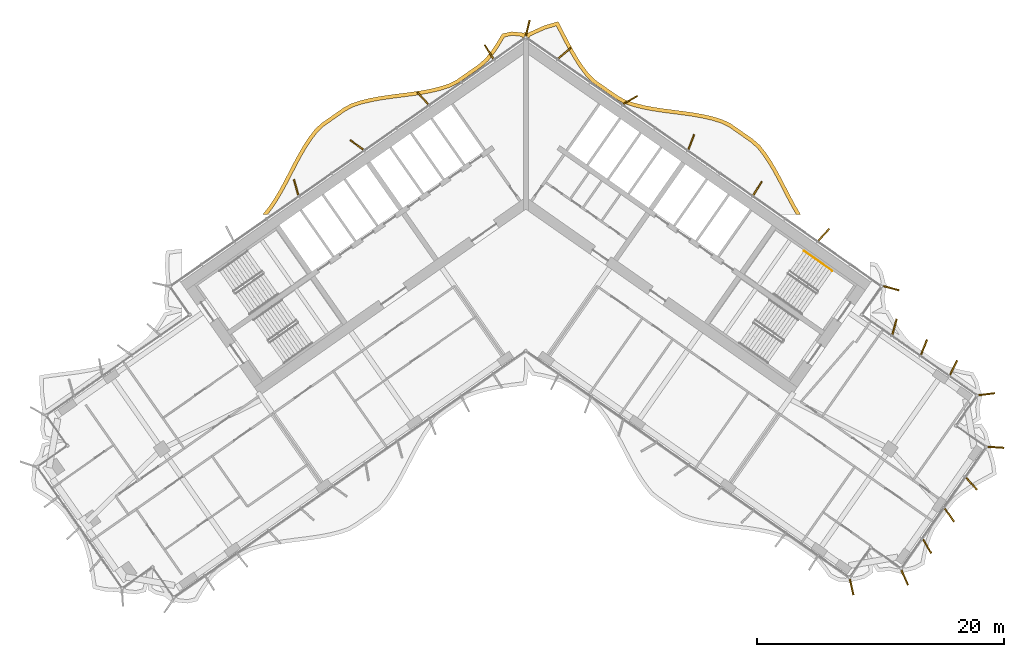
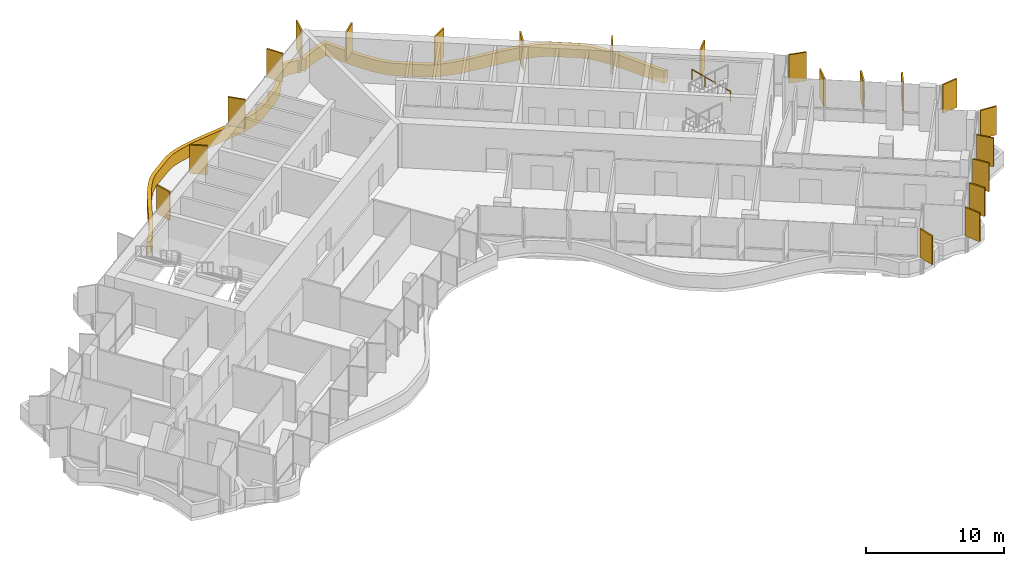
# One storey, part 21 of 21: 22 shading devices, 1 railing.
"""IFC4 building model written with IfcOpenShell, lengths in metres."""

import ifcopenshell
import ifcopenshell.guid

model = None  # the IFC model being written
_history = None  # IfcOwnerHistory: only IFC2X3 demands one
_inside = {}  # id of a spatial element -> (the spatial element, [elements in it])
_under = {}  # id of a project, library or spatial element -> (it, [spatial elements below it])
_declared = {}  # id of a project -> (the project, [libraries it declares])
_typed = {}  # id of a type object -> (the type object, [elements of that type])
_made_of = {}  # id of a material, layer set ... -> (it, [elements and type objects made of it])


def new_model(schema):
    """Start an empty IFC model of exactly this schema.

    Asked for "IFC4X3", IfcOpenShell would pick the latest addendum, in which some entities
    have other attributes; the version numbers below select the first issue.
    IFC2X3 requires an IfcOwnerHistory on every rooted entity: one is made here for all.
    """
    global model, _history
    if schema == "IFC4X3":
        model = ifcopenshell.file(schema_version=(4, 3, 0, 0))
    else:
        model = ifcopenshell.file(schema=schema)
    _inside.clear()
    _under.clear()
    _declared.clear()
    _typed.clear()
    _made_of.clear()
    _history = None
    if model.schema == "IFC2X3":
        org = make("IfcOrganization", Name="unknown")
        user = make(
            "IfcPersonAndOrganization",
            ThePerson=make("IfcPerson", FamilyName="unknown"),
            TheOrganization=org,
        )
        app = make(
            "IfcApplication",
            ApplicationDeveloper=org,
            Version="unknown",
            ApplicationFullName="unknown",
            ApplicationIdentifier="unknown",
        )
        _history = make(
            "IfcOwnerHistory",
            OwningUser=user,
            OwningApplication=app,
            ChangeAction="ADDED",
            CreationDate=0,
        )
    return model


def make(cls, **values):
    """One entity of the class cls with the attributes given. An attribute that is None is left unset."""
    return model.create_entity(
        cls, **{name: value for name, value in values.items() if value is not None}
    )


def rooted(cls, **values):
    """An entity with a GlobalId (a new one), such as an element, a storey or a relation."""
    return make(cls, GlobalId=ifcopenshell.guid.new(), OwnerHistory=_history, **values)


def si_unit(unit_type, name, prefix=None):
    """IfcSIUnit, for example si_unit("LENGTHUNIT", "METRE", prefix="MILLI")."""
    return make("IfcSIUnit", UnitType=unit_type, Prefix=prefix, Name=name)


def assignment(units):
    """IfcUnitAssignment: the units of a project."""
    return None if units is None else make("IfcUnitAssignment", Units=units)


def point(xyz):
    """IfcCartesianPoint."""
    return None if xyz is None else make("IfcCartesianPoint", Coordinates=xyz)


def direction(xyz):
    """IfcDirection."""
    return None if xyz is None else make("IfcDirection", DirectionRatios=xyz)


def frame(location, z_axis=None, x_axis=None):
    """IfcAxis2Placement3D, a coordinate frame: its origin and axes. An axis left out is left unset."""
    return make(
        "IfcAxis2Placement3D",
        Location=point(location),
        Axis=direction(z_axis),
        RefDirection=direction(x_axis),
    )


def frame_2d(location, x_axis=None):
    """IfcAxis2Placement2D, a coordinate frame in the plane: its origin and x axis."""
    return make(
        "IfcAxis2Placement2D", Location=point(location), RefDirection=direction(x_axis)
    )


def origin():
    """The frame at (0, 0, 0) with its axes left unset."""
    return frame((0.0, 0.0, 0.0))


def origin_2d():
    """The frame at (0, 0) in the plane with its x axis left unset."""
    return frame_2d((0.0, 0.0))


def place(relative_to, where):
    """IfcLocalPlacement: puts the frame where relative to a parent placement (None: the world)."""
    return make(
        "IfcLocalPlacement", PlacementRelTo=relative_to, RelativePlacement=where
    )


def context(
    kind, dimensions, precision=None, world=None, true_north=None, identifier=None
):
    """IfcGeometricRepresentationContext, for example the 3D "Model" context."""
    return make(
        "IfcGeometricRepresentationContext",
        ContextIdentifier=identifier,
        ContextType=kind,
        CoordinateSpaceDimension=dimensions,
        Precision=precision,
        WorldCoordinateSystem=world,
        TrueNorth=true_north,
    )


def subcontext(parent, identifier, kind, view, scale=None):
    """IfcGeometricRepresentationSubContext, for example "Body" below "Model"."""
    return make(
        "IfcGeometricRepresentationSubContext",
        ContextIdentifier=identifier,
        ContextType=kind,
        ParentContext=parent,
        TargetScale=scale,
        TargetView=view,
    )


def project(units=None, contexts=None):
    """IfcProject with its units and contexts."""
    return rooted(
        "IfcProject",
        Name="project",
        RepresentationContexts=contexts,
        UnitsInContext=assignment(units),
    )


def spatial(cls, under=None, at=None, **own):
    """A site, building, storey or space (cls), placed at a placement, below another one or the project."""
    s = rooted(cls, ObjectPlacement=at, **own)
    if under is not None:
        _under.setdefault(under.id(), (under, []))[1].append(s)
    return s


def polyline(points):
    """IfcPolyline through the points."""
    return make("IfcPolyline", Points=[point(p) for p in points])


def profile(cls, at=None, kind="AREA", **sizes):
    """A parametric profile (cls). Its sizes go by their IFC names, for example OverallWidth=200.0."""
    return make(cls, ProfileType=kind, Position=at, **sizes)


def rectangle(**sizes):
    """IfcRectangleProfileDef."""
    return profile("IfcRectangleProfileDef", **sizes)


def circle(**sizes):
    """IfcCircleProfileDef."""
    return profile("IfcCircleProfileDef", **sizes)


def outline(outer, holes=None, kind="AREA"):
    """IfcArbitraryClosedProfileDef: a profile drawn as a closed curve; with holes, ...WithVoids."""
    if holes is None:
        return make("IfcArbitraryClosedProfileDef", ProfileType=kind, OuterCurve=outer)
    return make(
        "IfcArbitraryProfileDefWithVoids",
        ProfileType=kind,
        OuterCurve=outer,
        InnerCurves=holes,
    )


def extrude(swept, where, along, depth):
    """IfcExtrudedAreaSolid: the profile swept, set in the frame where, extruded along a direction by depth."""
    return make(
        "IfcExtrudedAreaSolid",
        SweptArea=swept,
        Position=where,
        ExtrudedDirection=direction(along),
        Depth=depth,
    )


def shape(context_of_items, identifier, shape_type, items):
    """IfcShapeRepresentation: the items that make up one representation, for example the "Body"."""
    return make(
        "IfcShapeRepresentation",
        ContextOfItems=context_of_items,
        RepresentationIdentifier=identifier,
        RepresentationType=shape_type,
        Items=items,
    )


def material(Name=None, Category=None):
    """IfcMaterial."""
    return make("IfcMaterial", Name=Name, Category=Category)


def layer(
    of_material, thickness, ventilated=None, Name=None, Category=None, Priority=None
):
    """IfcMaterialLayer: one layer of a wall or slab, of a material (None: an air gap)."""
    return make(
        "IfcMaterialLayer",
        Material=of_material,
        LayerThickness=thickness,
        IsVentilated=ventilated,
        Name=Name,
        Category=Category,
        Priority=Priority,
    )


def layer_set(layers, Name=None):
    """IfcMaterialLayerSet."""
    return make("IfcMaterialLayerSet", MaterialLayers=layers, LayerSetName=Name)


def made_of(thing, what):
    """Note that an element or type object is made of a material, layer set ...; save() writes the relation."""
    if what is not None:
        _made_of.setdefault(what.id(), (what, []))[1].append(thing)
    return thing


def type_object(cls, material=None, **own):
    """A type object (cls), such as IfcWallType, which elements share."""
    return made_of(rooted(cls, **own), material)


def element(
    cls,
    number,
    at=None,
    inside=None,
    cuts=None,
    type_object=None,
    material=None,
    context=None,
    identifier="Body",
    shape_type=None,
    held_by="IfcProductDefinitionShape",
    body=None,
    shapes=None,
    **own,
):
    """One element of the class cls, such as IfcWall. Its Tag is "e" and its number.

    at: its placement. inside: the storey or other place that contains it. cuts: it is an
    opening in that element (IfcRelVoidsElement). A single representation is given by context,
    identifier, shape_type and body (its items); several are given by shapes. held_by: the class
    of the entity that holds the representations. save() writes the other relations.
    """
    e = rooted(cls, Tag="e%d" % number, ObjectPlacement=at, **own)
    if body is not None:
        shapes = [shape(context, identifier, shape_type, body)]
    if shapes is not None:
        e.Representation = make(held_by, Representations=shapes)
    if inside is not None:
        _inside.setdefault(inside.id(), (inside, []))[1].append(e)
    if cuts is not None:
        rooted(
            "IfcRelVoidsElement", RelatingBuildingElement=cuts, RelatedOpeningElement=e
        )
    if type_object is not None:
        _typed.setdefault(type_object.id(), (type_object, []))[1].append(e)
    return made_of(e, material)


def aggregate(whole, parts):
    """IfcRelAggregates: a whole, such as a stair, and the parts it consists of."""
    return rooted("IfcRelAggregates", RelatingObject=whole, RelatedObjects=parts)


def save(model, path):
    """Write the relations noted so far, then the file.

    IfcRelAggregates (storeys below a building ...), IfcRelContainedInSpatialStructure (elements
    in a storey), IfcRelDefinesByType, IfcRelAssociatesMaterial and IfcRelDeclares: one each for
    every whole, place, type object, material and project.
    """
    for whole, parts in _under.values():
        aggregate(whole, parts)
    for where, things in _inside.values():
        rooted(
            "IfcRelContainedInSpatialStructure",
            RelatedElements=things,
            RelatingStructure=where,
        )
    for kind, things in _typed.values():
        rooted("IfcRelDefinesByType", RelatedObjects=things, RelatingType=kind)
    for what, things in _made_of.values():
        rooted("IfcRelAssociatesMaterial", RelatedObjects=things, RelatingMaterial=what)
    for by, libraries in _declared.values():
        rooted("IfcRelDeclares", RelatingContext=by, RelatedDefinitions=libraries)
    model.write(path)


model = new_model("IFC4")

# Units and contexts
model_context = context("Model", 3, precision=1e-05, world=origin(), true_north=direction((0.0, 1.0)))
body_context = subcontext(model_context, "Body", "Model", "MODEL_VIEW")
ifc_project = project(units=[si_unit("LENGTHUNIT", "METRE"), si_unit("AREAUNIT", "SQUARE_METRE"), si_unit("VOLUMEUNIT", "CUBIC_METRE"), si_unit("PLANEANGLEUNIT", "RADIAN"), si_unit("MASSUNIT", "GRAM", prefix="KILO")], contexts=[model_context])

# Site, building, storey
site_placement = place(None, origin())
site = spatial("IfcSite", under=ifc_project, at=site_placement, CompositionType="ELEMENT")
building_placement = place(site_placement, origin())
building = spatial("IfcBuilding", under=site, at=building_placement, Name="Tel Ilan Convention Tower", CompositionType="ELEMENT")
storey_placement = place(building_placement, frame((0.0, 0.0, 163.199951171875)))
storey = spatial("IfcBuildingStorey", under=building, at=storey_placement, Name="L37", CompositionType="ELEMENT", Elevation=163.199951171875)

# Shading devices
ifc_material_1 = material(Name="Aluminium, bronze anodised", Category="aluminium")
ifc_layer_1 = layer(ifc_material_1, 0.1201171875)
ifc_layer_set_1 = layer_set([ifc_layer_1], Name="FIN BRONZE 1300x120")
shading_device_type_1 = type_object("IfcShadingDeviceType", Name="FIN BRONZE 1300x120", PredefinedType="USERDEFINED", material=ifc_layer_set_1)
for number, where, z_axis, x_axis, name in (
    (1, (29.611083984375, -7.623046875, 1.10009765625), (0.0, 0.0, 1.0), (0.965925826289, -0.258819045103, 0.0), "FIN"),
    (2, (24.144287109375, -3.292724609375, 1.10009765625), (0.0, 0.0, 1.0), (0.686241637865, 0.727373641577, 0.0), "FIN"),
    (3, (18.7763671875, 0.46630859375, 1.10009765625), (0.0, 0.0, 1.0), (0.533204432798, 0.845986425922, 0.0), "FIN"),
    (4, (13.4052734375, 4.218994140625, 1.10009765625), (0.0, 0.0, 1.0), (0.360177724803, 0.932883704733, 0.0), "FIN"),
    (5, (8.47509765625, 7.63330078125, 1.10009765625), (0.0, 0.0, 1.0), (0.866025403784, 0.5, 0.0), "FIN"),
    (6, (3.13037109375, 11.41357421875, 1.10009765625), (0.0, 0.0, 1.0), (0.753435896329, 0.657521368568, 0.0), "FIN"),
    (7, (0.156005859375, 13.463134765625, 1.10009765625), (0.0, 0.0, 1.0), (0.240039791311, 0.970763049661, 0.0), "FIN"),
    (8, (-2.98046875, 11.526611328125, 1.10009765625), (0.0, 0.0, 1.0), (-0.533204432798, 0.845986425922, 0.0), "FIN"),
    (9, (-8.3486328125, 7.767578125, 1.10009765625), (0.0, 0.0, 1.0), (-0.686241637865, 0.727373641577, 0.0), "FIN"),
    (10, (-13.703125, 3.9951171875, 1.10009765625), (0.0, 0.0, 1.0), (-0.813552070258, 0.581492071294, 0.0), "FIN"),
    (11, (-18.61376953125, 0.556640625, 1.10009765625), (0.0, 0.0, 1.0), (-0.268172612768, 0.963370878614, 0.0), "FIN"),
    (12, (26.396240234375, -31.836181640625, 1.10009765625), (0.0, 0.0, 1.0), (0.221170268371, -0.975235208752, 0.0), "FIN"),
    (13, (30.69580078125, -31.0712890625, 1.10009765625), (0.0, 0.0, 1.0), (0.404964282034, -0.914332505315, 0.0), "FIN"),
    (14, (32.52490234375, -28.5419921875, 1.10009765625), (0.0, 0.0, 1.0), (0.5, -0.866025403784, 0.0), "FIN"),
    (15, (34.322998046875, -26.00634765625, 1.10009765625), (0.0, 0.0, 1.0), (0.581492071294, -0.813552070258, 0.0), "FIN"),
    (16, (36.1171875, -23.4658203125, 1.10009765625), (0.0, 0.0, 1.0), (0.657521368568, -0.753435896329, 0.0), "FIN"),
    (17, (38.090087890625, -20.51123046875, 1.10009765625), (0.0, 0.0, 1.0), (0.997697449973, -0.067821812994, 0.0), "FIN"),
    (18, (37.33837890625, -16.209228515625, 1.10009765625), (0.0, 0.0, 1.0), (0.992066016082, 0.125718016748, 0.0), "FIN"),
    (19, (34.653076171875, -14.069091796875, 1.10009765625), (0.0, 0.0, 1.0), (0.448799180206, 0.893632640321, 0.0), "FIN"),
    (20, (32.26416015625, -12.404296875, 1.10009765625), (0.0, 0.0, 1.0), (0.360177724803, 0.932883704733, 0.0), "FIN"),
    (21, (29.872802734375, -10.7451171875, 1.10009765625), (0.0, 0.0, 1.0), (0.268172612768, 0.963370878614, 0.0), "FIN"),
):
    element("IfcShadingDevice", number, at=place(storey_placement, frame(where, z_axis=z_axis, x_axis=x_axis)), inside=storey, type_object=shading_device_type_1, Name=name, ObjectType="FIN", PredefinedType="USERDEFINED", context=body_context, shape_type="SweptSolid", body=[
        extrude(rectangle(XDim=1.300048828125, YDim=0.1201171875, at=origin_2d()), origin(), (0.0, 0.0, 1.0), 2.52001953125),
    ])
ifc_material_2 = material(Name="Aluminium, bronze anodised", Category="aluminium")
ifc_layer_2 = layer(ifc_material_2, 0.300048828125)
ifc_layer_set_2 = layer_set([ifc_layer_2], Name="LOUVRE BAND 300x1100")
shading_device_type_2 = type_object("IfcShadingDeviceType", Name="LOUVRE BAND 300x1100", PredefinedType="USERDEFINED", material=ifc_layer_set_2)
shading_device_placement = place(storey_placement, origin())
element("IfcShadingDevice", 22, at=shading_device_placement, inside=storey, type_object=shading_device_type_2, Name="LOUVRE BAND 29.02", ObjectType="LOUVRE", PredefinedType="USERDEFINED", context=body_context, shape_type="SweptSolid", body=[
    extrude(outline(polyline([(-20.849609375, -1.0634765625), (-21.30126953125, -1.631591796875), (-20.91796875, -1.631591796875), (-20.607666015625, -1.2412109375), (-20.154052734375, -0.572265625), (-19.73291015625, 0.13330078125), (-19.335205078125, 0.86328125), (-18.57080078125, 2.342041015625), (-18.1845703125, 3.06298828125), (-17.78369140625, 3.75341796875), (-17.359619140625, 4.40185546875), (-16.911376953125, 4.99072265625), (-16.409912109375, 5.478515625), (-14.633056640625, 6.722412109375), (-14.02197265625, 7.05712890625), (-13.32763671875, 7.284912109375), (-12.58056640625, 7.4697265625), (-11.800048828125, 7.61669921875), (-10.994384765625, 7.73681640625), (-9.345458984375, 7.94873046875), (-8.521484375, 8.068603515625), (-7.710693359375, 8.216064453125), (-6.921875, 8.404296875), (-6.152587890625, 8.64794921875), (-5.447509765625, 9.00390625), (-3.604248046875, 10.29443359375), (-3.021484375, 10.82373046875), (-2.525634765625, 11.46142578125), (-2.076904296875, 12.135498046875), (-1.727783203125, 12.727294921875), (-1.12451171875, 12.861572265625), (-0.33935546875, 12.77978515625), (-0.24609375, 12.646728515625), (0.0, 12.818115234375), (0.24609375, 12.646728515625), (0.3701171875, 12.82373046875), (1.583984375, 13.365234375), (2.46484375, 13.628173828125), (3.115478515625, 12.37158203125), (3.5078125, 11.636474609375), (3.92041015625, 10.921630859375), (4.362548828125, 10.239501953125), (4.84716796875, 9.595947265625), (5.407958984375, 9.031494140625), (7.251220703125, 7.74072265625), (7.93212890625, 7.353759765625), (8.69921875, 7.09716796875), (9.48291015625, 6.89990234375), (10.2900390625, 6.745361328125), (11.112060546875, 6.621337890625), (12.762939453125, 6.408935546875), (13.572509765625, 6.29248046875), (14.3583984375, 6.15185546875), (15.11279296875, 5.97509765625), (15.819580078125, 5.75537109375), (16.44921875, 5.450927734375), (18.22607421875, 4.206787109375), (18.74951171875, 3.746826171875), (19.200927734375, 3.172607421875), (19.63037109375, 2.533447265625), (20.03515625, 1.850341796875), (20.423583984375, 1.13427734375), (21.186767578125, -0.3427734375), (21.5810546875, -1.075927734375), (21.906005859375, -1.631591796875), (22.25341796875, -1.631591796875), (21.8427734375, -0.928955078125), (21.4521484375, -0.202880859375), (20.688720703125, 1.27490234375), (20.296142578125, 1.998291015625), (19.884033203125, 2.69384765625), (19.44384765625, 3.34912109375), (18.96826171875, 3.9541015625), (18.41162109375, 4.443115234375), (16.6015625, 5.71044921875), (15.929931640625, 6.03515625), (15.191650390625, 6.2646484375), (14.419189453125, 6.44580078125), (13.6201171875, 6.588623046875), (12.80322265625, 6.7060546875), (11.15380859375, 6.91845703125), (10.340576171875, 7.041259765625), (9.547607421875, 7.19287109375), (8.783447265625, 7.385498046875), (8.054931640625, 7.62890625), (7.411865234375, 7.99462890625), (5.601806640625, 9.261962890625), (5.074462890625, 9.792724609375), (4.608642578125, 10.41162109375), (4.17626953125, 11.078369140625), (3.770263671875, 11.7822265625), (3.38134765625, 12.510986328125), (2.6162109375, 13.986328125), (1.4794921875, 13.647216796875), (0.168701171875, 13.059326171875), (0.11474609375, 13.09521484375), (0.0, 13.1181640625), (-0.11474609375, 13.09521484375), (-0.168701171875, 13.059326171875), (-1.14208984375, 13.1650390625), (-1.919921875, 12.991943359375), (-2.3310546875, 12.294921875), (-2.769287109375, 11.63671875), (-3.242431640625, 11.0283203125), (-3.7919921875, 10.529296875), (-5.601806640625, 9.261962890625), (-6.26611328125, 8.926513671875), (-7.002197265625, 8.693603515625), (-7.7724609375, 8.509765625), (-8.570068359375, 8.36474609375), (-9.385986328125, 8.24609375), (-11.03564453125, 8.033935546875), (-11.849853515625, 7.91259765625), (-12.644287109375, 7.76318359375), (-13.41064453125, 7.573486328125), (-14.141845703125, 7.33349609375), (-14.791748046875, 6.977783203125), (-16.6015625, 5.71044921875), (-17.136474609375, 5.1904296875), (-17.604736328125, 4.574951171875), (-18.0390625, 3.9111328125), (-18.44677734375, 3.209228515625), (-18.83642578125, 2.481689453125), (-19.60009765625, 1.004150390625), (-19.993408203125, 0.281982421875), (-20.4072265625, -0.4111328125), (-20.849609375, -1.0634765625)])), origin(), (0.0, 0.0, 1.0), 1.10009765625),
])

# Railing
ifc_material_3 = material(Name="Stainless Steel Grade 316", Category="steel")
railing_type = type_object("IfcRailingType", Name="Stainless Steel Stair Handrail 900 mm", PredefinedType="HANDRAIL", material=ifc_material_3)
railing_placement = place(storey_placement, frame((24.825927734375, -6.213134765625, 0.17724609375)))
element("IfcRailing", 23, at=railing_placement, inside=storey, type_object=railing_type, Name="L37 S3 stair handrail 1", PredefinedType="HANDRAIL", context=body_context, shape_type="SweptSolid", body=[
    extrude(circle(Radius=0.02392578125, at=origin_2d()), frame((0.0, 0.0, 0.8759765625), z_axis=(-0.692123088272, 0.484596665743, 0.534912798717), x_axis=(-0.573550118428, -0.819170471667, 0.0)), (0.0, 0.0, 1.0), 3.31396484375),
    extrude(circle(Radius=0.02099609375, at=origin_2d()), origin(), (0.0, 0.0, 1.0), 0.851806640625),
    extrude(circle(Radius=0.02099609375, at=origin_2d()), frame((-0.7646484375, 0.535400390625, 0.5908203125)), (0.0, 0.0, 1.0), 0.851806640625),
    extrude(circle(Radius=0.02099609375, at=origin_2d()), frame((-1.529052734375, 1.070556640625, 1.181884765625)), (0.0, 0.0, 1.0), 0.851806640625),
    extrude(circle(Radius=0.02099609375, at=origin_2d()), frame((-2.293701171875, 1.60595703125, 1.772705078125)), (0.0, 0.0, 1.0), 0.851806640625),
])

save(model, "model.ifc")
